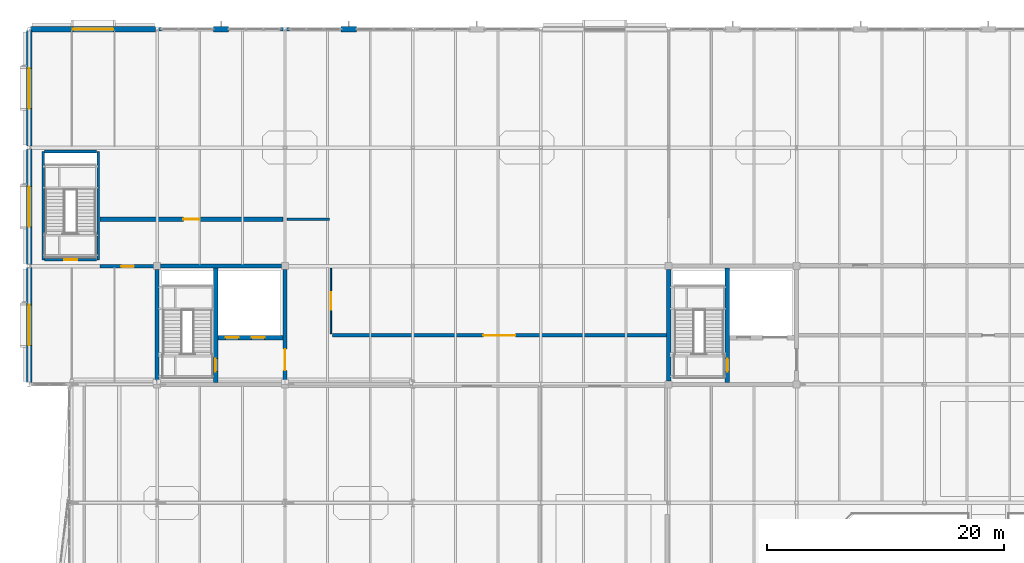
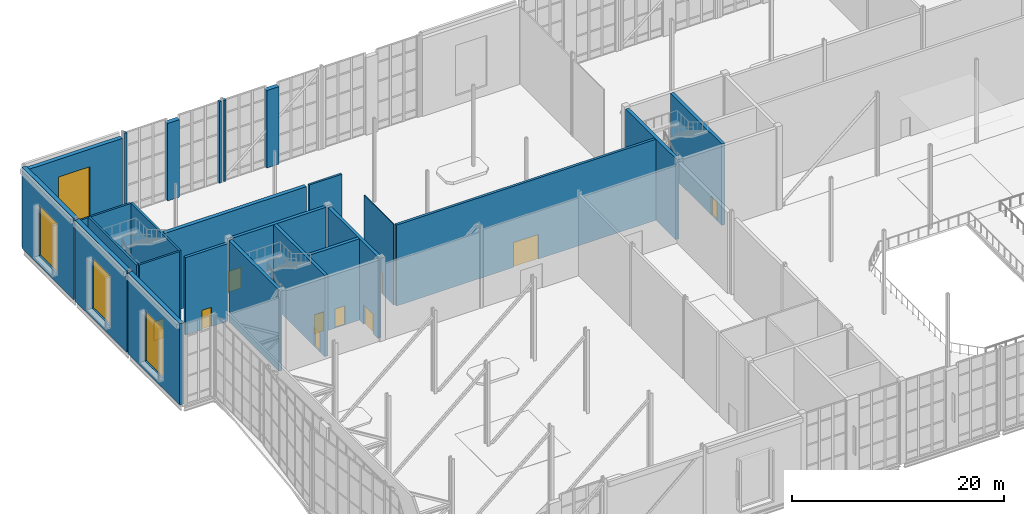
# One storey, part 87 of 100: 25 walls, 10 doors, 4 windows, 14 openings.
"""IFC4 building model written with IfcOpenShell, lengths in metres."""

from ifc_helpers import new_model, si_unit, direction, frame, frame_2d, origin, place, context, subcontext, project, spatial, rectangle, extrude, material, layer, layer_set, type_object, element, fill, save


model = new_model("IFC4")

# Units and contexts
model_context = context("Model", 3, precision=1e-05, world=origin(), true_north=direction((0.0, 1.0)))
body_context = subcontext(model_context, "Body", "Model", "MODEL_VIEW")
ifc_project = project(units=[si_unit("LENGTHUNIT", "METRE"), si_unit("AREAUNIT", "SQUARE_METRE"), si_unit("VOLUMEUNIT", "CUBIC_METRE"), si_unit("PLANEANGLEUNIT", "RADIAN"), si_unit("MASSUNIT", "GRAM", prefix="KILO")], contexts=[model_context])

# Site, building, storey
site_placement = place(None, origin())
site = spatial("IfcSite", under=ifc_project, at=site_placement, CompositionType="ELEMENT")
building_placement = place(site_placement, origin())
building = spatial("IfcBuilding", under=site, at=building_placement, Name="Tasgan Crest Museum", CompositionType="ELEMENT")
storey_placement = place(building_placement, frame((0.0, 0.0, 14.39990234375)))
storey = spatial("IfcBuildingStorey", under=building, at=storey_placement, Name="L03", CompositionType="ELEMENT", Elevation=14.39990234375)

# Walls
ifc_material_1 = material(Name="Concrete C40/50", Category="concrete")
ifc_layer_1 = layer(ifc_material_1, 0.35009765625, Name="WL-CORE-350")
ifc_layer_set_1 = layer_set([ifc_layer_1], Name="Concrete C40/50")
wall_type_1 = type_object("IfcWallType", Name="WL-CORE-350", PredefinedType="SHEAR", material=ifc_layer_set_1)
wall_1_placement = place(storey_placement, frame((11.10009765625, 92.0, 0.0), z_axis=(0.0, 0.0, 1.0), x_axis=(1.0, 0.0, 0.0)))
element("IfcWall", 1, at=wall_1_placement, inside=storey, type_object=wall_type_1, Name="North-West Gallery Core north shear wall L03", PredefinedType="SHEAR", context=body_context, shape_type="SweptSolid", body=[
    extrude(rectangle(XDim=10.199951171875, YDim=0.35009765625, at=frame_2d((5.10009765625, 0.0))), origin(), (0.0, 0.0, 1.0), 9.360107421875),
])
wall_2_placement = place(storey_placement, frame((10.800048828125, 82.300048828125, 0.0), z_axis=(0.0, 0.0, 1.0), x_axis=(0.0, 1.0, 0.0)))
element("IfcWall", 2, at=wall_2_placement, inside=storey, type_object=wall_type_1, Name="North-West Gallery Core west shear wall L03", PredefinedType="SHEAR", context=body_context, shape_type="SweptSolid", body=[
    extrude(rectangle(XDim=9.39990234375, YDim=0.35009765625, at=frame_2d((4.699951171875, 0.0))), origin(), (0.0, 0.0, 1.0), 9.360107421875),
])

# Wall, opening, door
wall_3_placement = place(storey_placement, frame((21.60009765625, 82.300048828125, 0.0), z_axis=(0.0, 0.0, 1.0), x_axis=(0.0, 1.0, 0.0)))
wall_3 = element("IfcWall", 3, at=wall_3_placement, inside=storey, type_object=wall_type_1, Name="North-West Gallery Core east shear wall L03", PredefinedType="SHEAR", context=body_context, shape_type="SweptSolid", body=[
    extrude(rectangle(XDim=9.39990234375, YDim=0.35009765625, at=frame_2d((4.699951171875, 0.0))), origin(), (0.0, 0.0, 1.0), 9.360107421875),
])
opening_1_placement = place(wall_3_placement, frame((0.8798828125, 0.0, 0.0)))
opening_1 = element("IfcOpeningElement", 4, at=opening_1_placement, cuts=wall_3, Name="Opening LD-NW-L03", PredefinedType="OPENING", context=body_context, shape_type="SweptSolid", body=[
    extrude(rectangle(XDim=1.800048828125, YDim=2.25, at=frame_2d((0.89990234375, 1.125))), frame((0.0, 0.18505859375, 0.0), z_axis=(0.0, -1.0, 0.0), x_axis=(1.0, 0.0, 0.0)), (0.0, 0.0, 1.0), 0.3701171875),
])
ifc_material_2 = material(Name="Fire-Rated Double Lobby Door")
door_type_1 = type_object("IfcDoorType", Name="DR-FD2-1800", OperationType="NOTDEFINED", PredefinedType="DOOR", material=ifc_material_2)
door_1_placement = place(opening_1_placement, origin())
door_1 = element("IfcDoor", 5, at=door_1_placement, inside=storey, type_object=door_type_1, Name="North-West Gallery Core lobby door L03", OperationType="DOUBLE_DOOR_SINGLE_SWING", OverallHeight=2.25, OverallWidth=1.800048828125, PredefinedType="DOOR", context=body_context, shape_type="SweptSolid", body=[
    extrude(rectangle(XDim=1.800048828125, YDim=2.25, at=frame_2d((0.89990234375, 1.125))), frame((0.0, 0.02490234375, 0.0), z_axis=(0.0, -1.0, 0.0), x_axis=(1.0, 0.0, 0.0)), (0.0, 0.0, 1.0), 0.050048828125),
])
fill(opening_1, door_1)

wall_4_placement = place(storey_placement, frame((15.75, 82.175048828125, 0.0), z_axis=(0.0, 0.0, 1.0), x_axis=(0.0, 1.0, 0.0)))
wall_4 = element("IfcWall", 6, at=wall_4_placement, inside=storey, type_object=wall_type_1, Name="North-West Gallery Core stair-lobby shear wall L03", PredefinedType="SHEAR", context=body_context, shape_type="SweptSolid", body=[
    extrude(rectangle(XDim=9.64990234375, YDim=0.35009765625, at=frame_2d((4.824951171875, 0.0))), origin(), (0.0, 0.0, 1.0), 9.360107421875),
])
opening_2_placement = place(wall_4_placement, frame((0.89990234375, 0.0, 0.0)))
opening_2 = element("IfcOpeningElement", 7, at=opening_2_placement, cuts=wall_4, Name="Opening SD-NW-L03", PredefinedType="OPENING", context=body_context, shape_type="SweptSolid", body=[
    extrude(rectangle(XDim=1.10009765625, YDim=2.199951171875, at=frame_2d((0.550048828125, 1.10009765625))), frame((0.0, 0.18505859375, 0.0), z_axis=(0.0, -1.0, 0.0), x_axis=(1.0, 0.0, 0.0)), (0.0, 0.0, 1.0), 0.3701171875),
])
ifc_material_3 = material(Name="Fire-Rated Steel Door", Category="steel")
door_type_2 = type_object("IfcDoorType", Name="DR-FD1-1100", OperationType="NOTDEFINED", PredefinedType="DOOR", material=ifc_material_3)
door_2_placement = place(opening_2_placement, origin())
door_2 = element("IfcDoor", 8, at=door_2_placement, inside=storey, type_object=door_type_2, Name="North-West Gallery Core stair door L03", OperationType="SINGLE_SWING_RIGHT", OverallHeight=2.199951171875, OverallWidth=1.10009765625, PredefinedType="DOOR", context=body_context, shape_type="SweptSolid", body=[
    extrude(rectangle(XDim=1.10009765625, YDim=2.199951171875, at=frame_2d((0.550048828125, 1.10009765625))), frame((0.0, 0.02490234375, 0.0), z_axis=(0.0, -1.0, 0.0), x_axis=(1.0, 0.0, 0.0)), (0.0, 0.0, 1.0), 0.050048828125),
])
fill(opening_2, door_2)

# Wall, openings, doors
wall_5_placement = place(storey_placement, frame((15.929931640625, 85.949951171875, 0.0), z_axis=(0.0, 0.0, 1.0), x_axis=(1.0, 0.0, 0.0)))
wall_5 = element("IfcWall", 9, at=wall_5_placement, inside=storey, type_object=wall_type_1, Name="North-West Gallery Core lift-shaft wall L03", PredefinedType="SHEAR", context=body_context, shape_type="SweptSolid", body=[
    extrude(rectangle(XDim=5.489990234375, YDim=0.35009765625, at=frame_2d((2.7451171875, 0.0))), origin(), (0.0, 0.0, 1.0), 9.360107421875),
])
opening_3_placement = place(wall_5_placement, frame((0.64990234375, 0.0, 0.0)))
opening_3 = element("IfcOpeningElement", 10, at=opening_3_placement, cuts=wall_5, Name="Opening LD-FL1", PredefinedType="OPENING", context=body_context, shape_type="SweptSolid", body=[
    extrude(rectangle(XDim=1.10009765625, YDim=2.199951171875, at=frame_2d((0.550048828125, 1.10009765625))), frame((0.0, 0.18505859375, 0.0), z_axis=(0.0, -1.0, 0.0), x_axis=(1.0, 0.0, 0.0)), (0.0, 0.0, 1.0), 0.3701171875),
])
opening_4_placement = place(wall_5_placement, frame((2.85009765625, 0.0, 0.0)))
opening_4 = element("IfcOpeningElement", 11, at=opening_4_placement, cuts=wall_5, Name="Opening LD-PL1", PredefinedType="OPENING", context=body_context, shape_type="SweptSolid", body=[
    extrude(rectangle(XDim=1.10009765625, YDim=2.199951171875, at=frame_2d((0.550048828125, 1.10009765625))), frame((0.0, 0.18505859375, 0.0), z_axis=(0.0, -1.0, 0.0), x_axis=(1.0, 0.0, 0.0)), (0.0, 0.0, 1.0), 0.3701171875),
])
ifc_material_4 = material(Name="Stainless Steel Firefighting Lift Landing Door", Category="steel")
door_type_3 = type_object("IfcDoorType", Name="LD-FF-1100", OperationType="NOTDEFINED", PredefinedType="DOOR", material=ifc_material_4)
door_3_placement = place(opening_3_placement, origin())
door_3 = element("IfcDoor", 12, at=door_3_placement, inside=storey, type_object=door_type_3, Name="Firefighting lift landing door FL1 L03", OperationType="DOUBLE_DOOR_SLIDING", OverallHeight=2.199951171875, OverallWidth=1.10009765625, PredefinedType="DOOR", context=body_context, shape_type="SweptSolid", body=[
    extrude(rectangle(XDim=1.10009765625, YDim=2.199951171875, at=frame_2d((0.550048828125, 1.10009765625))), frame((0.0, 0.02490234375, 0.0), z_axis=(0.0, -1.0, 0.0), x_axis=(1.0, 0.0, 0.0)), (0.0, 0.0, 1.0), 0.050048828125),
])
fill(opening_3, door_3)
ifc_material_5 = material(Name="Brushed Bronze Passenger Lift Landing Door")
door_type_4 = type_object("IfcDoorType", Name="LD-PAX-1100", OperationType="NOTDEFINED", PredefinedType="DOOR", material=ifc_material_5)
door_4_placement = place(opening_4_placement, origin())
door_4 = element("IfcDoor", 13, at=door_4_placement, inside=storey, type_object=door_type_4, Name="Lift landing sliding door PL1 L03", OperationType="DOUBLE_DOOR_SLIDING", OverallHeight=2.199951171875, OverallWidth=1.10009765625, PredefinedType="DOOR", context=body_context, shape_type="SweptSolid", body=[
    extrude(rectangle(XDim=1.10009765625, YDim=2.199951171875, at=frame_2d((0.550048828125, 1.10009765625))), frame((0.0, 0.02490234375, 0.0), z_axis=(0.0, -1.0, 0.0), x_axis=(1.0, 0.0, 0.0)), (0.0, 0.0, 1.0), 0.050048828125),
])
fill(opening_4, door_4)

# Wall
wall_6_placement = place(storey_placement, frame((54.0, 82.300048828125, 0.0), z_axis=(0.0, 0.0, 1.0), x_axis=(0.0, 1.0, 0.0)))
element("IfcWall", 14, at=wall_6_placement, inside=storey, type_object=wall_type_1, Name="North-Central Sawtooth Core west shear wall L03", PredefinedType="SHEAR", context=body_context, shape_type="SweptSolid", body=[
    extrude(rectangle(XDim=9.39990234375, YDim=0.35009765625, at=frame_2d((4.699951171875, 0.0))), origin(), (0.0, 0.0, 1.0), 9.360107421875),
])

# Wall, opening, door
wall_7_placement = place(storey_placement, frame((58.949951171875, 82.175048828125, 0.0), z_axis=(0.0, 0.0, 1.0), x_axis=(0.0, 1.0, 0.0)))
wall_7 = element("IfcWall", 15, at=wall_7_placement, inside=storey, type_object=wall_type_1, Name="North-Central Sawtooth Core stair-lobby shear wall L03", PredefinedType="SHEAR", context=body_context, shape_type="SweptSolid", body=[
    extrude(rectangle(XDim=9.64990234375, YDim=0.35009765625, at=frame_2d((4.824951171875, 0.0))), origin(), (0.0, 0.0, 1.0), 9.360107421875),
])
opening_5_placement = place(wall_7_placement, frame((0.89990234375, 0.0, 0.0)))
opening_5 = element("IfcOpeningElement", 16, at=opening_5_placement, cuts=wall_7, Name="Opening SD-NC-L03", PredefinedType="OPENING", context=body_context, shape_type="SweptSolid", body=[
    extrude(rectangle(XDim=1.10009765625, YDim=2.199951171875, at=frame_2d((0.550048828125, 1.10009765625))), frame((0.0, 0.18505859375, 0.0), z_axis=(0.0, -1.0, 0.0), x_axis=(1.0, 0.0, 0.0)), (0.0, 0.0, 1.0), 0.3701171875),
])
door_5_placement = place(opening_5_placement, origin())
door_5 = element("IfcDoor", 17, at=door_5_placement, inside=storey, type_object=door_type_2, Name="North-Central Sawtooth Core stair door L03", OperationType="SINGLE_SWING_RIGHT", OverallHeight=2.199951171875, OverallWidth=1.10009765625, PredefinedType="DOOR", context=body_context, shape_type="SweptSolid", body=[
    extrude(rectangle(XDim=1.10009765625, YDim=2.199951171875, at=frame_2d((0.550048828125, 1.10009765625))), frame((0.0, 0.02490234375, 0.0), z_axis=(0.0, -1.0, 0.0), x_axis=(1.0, 0.0, 0.0)), (0.0, 0.0, 1.0), 0.050048828125),
])
fill(opening_5, door_5)

# Walls
ifc_material_6 = material(Name="Precast concrete C40/50", Category="concrete")
ifc_layer_2 = layer(ifc_material_6, 0.320068359375, Name="WL-EXT-CLER-320")
ifc_layer_set_2 = layer_set([ifc_layer_2], Name="Precast concrete C40/50")
wall_type_2 = type_object("IfcWallType", Name="WL-EXT-CLER-320", PredefinedType="STANDARD", material=ifc_layer_set_2)
wall_8_placement = place(storey_placement, frame((21.969970703125, 112.0, 0.0), z_axis=(0.0, 0.0, 1.0), x_axis=(-1.0, 0.0, 0.0)))
element("IfcWall", 18, at=wall_8_placement, inside=storey, type_object=wall_type_2, Name="Curtain wall jamb closure L03 JR", PredefinedType="STANDARD", context=body_context, shape_type="SweptSolid", body=[
    extrude(rectangle(XDim=0.243896484375, YDim=0.300048828125, at=frame_2d((0.1220703125, 0.0))), origin(), (0.0, 0.0, 1.0), 9.360107421875),
])
wall_9_placement = place(storey_placement, frame((21.47412109375, 112.0, 0.0), z_axis=(0.0, 0.0, 1.0), x_axis=(-1.0, 0.0, 0.0)))
element("IfcWall", 19, at=wall_9_placement, inside=storey, type_object=wall_type_2, Name="Curtain wall jamb closure L03 JL", PredefinedType="STANDARD", context=body_context, shape_type="SweptSolid", body=[
    extrude(rectangle(XDim=0.244140625, YDim=0.300048828125, at=frame_2d((0.1220703125, 0.0))), origin(), (0.0, 0.0, 1.0), 9.360107421875),
])
wall_10_placement = place(storey_placement, frame((11.169921875, 112.0, 0.0), z_axis=(0.0, 0.0, 1.0), x_axis=(-1.0, 0.0, 0.0)))
element("IfcWall", 20, at=wall_10_placement, inside=storey, type_object=wall_type_2, Name="Curtain wall jamb closure L03 JR", PredefinedType="STANDARD", context=body_context, shape_type="SweptSolid", body=[
    extrude(rectangle(XDim=0.243896484375, YDim=0.300048828125, at=frame_2d((0.1220703125, 0.0))), origin(), (0.0, 0.0, 1.0), 9.360107421875),
])
ifc_material_7 = material(Name="Precast concrete C40/50", Category="concrete")
ifc_layer_3 = layer(ifc_material_7, 0.47998046875, Name="WL-EXT-GRAN-480")
ifc_layer_set_3 = layer_set([ifc_layer_3], Name="Precast concrete C40/50")
wall_type_3 = type_object("IfcWallType", Name="WL-EXT-GRAN-480", PredefinedType="STANDARD", material=ifc_layer_set_3)
wall_11_placement = place(storey_placement, frame((27.64990234375, 112.0, 0.0), z_axis=(0.0, 0.0, 1.0), x_axis=(-1.0, 0.0, 0.0)))
element("IfcWall", 21, at=wall_11_placement, inside=storey, type_object=wall_type_3, Name="Postmodern facade stone pier L03", PredefinedType="STANDARD", context=body_context, shape_type="SweptSolid", body=[
    extrude(rectangle(XDim=1.2998046875, YDim=0.47998046875, at=frame_2d((0.64990234375, 0.0))), origin(), (0.0, 0.0, 1.0), 8.920166015625),
])
wall_12_placement = place(storey_placement, frame((16.85009765625, 112.0, 0.0), z_axis=(0.0, 0.0, 1.0), x_axis=(-1.0, 0.0, 0.0)))
element("IfcWall", 22, at=wall_12_placement, inside=storey, type_object=wall_type_3, Name="Postmodern facade stone pier L03", PredefinedType="STANDARD", context=body_context, shape_type="SweptSolid", body=[
    extrude(rectangle(XDim=1.300048828125, YDim=0.47998046875, at=frame_2d((0.64990234375, 0.0))), origin(), (0.0, 0.0, 1.0), 8.920166015625),
])

# Wall, opening, window
ifc_material_8 = material(Name="Precast concrete C40/50", Category="concrete")
ifc_layer_4 = layer(ifc_material_8, 0.449951171875, Name="WL-EXT-LIME-450")
ifc_layer_set_4 = layer_set([ifc_layer_4], Name="Precast concrete C40/50")
wall_type_4 = type_object("IfcWallType", Name="WL-EXT-LIME-450", PredefinedType="STANDARD", material=ifc_layer_set_4)
wall_13_placement = place(storey_placement, frame((10.674072265625, 112.0, 0.0), z_axis=(0.0, 0.0, 1.0), x_axis=(-1.0, 0.0, 0.0)))
wall_13 = element("IfcWall", 23, at=wall_13_placement, inside=storey, type_object=wall_type_4, Name="Exterior wall L03 (5.4,112.0)", PredefinedType="STANDARD", context=body_context, shape_type="SweptSolid", body=[
    extrude(rectangle(XDim=10.548095703125, YDim=0.449951171875, at=frame_2d((5.27392578125, 0.0))), origin(), (0.0, 0.0, 1.0), 8.920166015625),
])
opening_6_placement = place(wall_13_placement, frame((3.573974609375, 0.0, 1.10009765625)))
opening_6 = element("IfcOpeningElement", 24, at=opening_6_placement, cuts=wall_13, Name="Opening W09", PredefinedType="OPENING", context=body_context, shape_type="SweptSolid", body=[
    extrude(rectangle(XDim=3.39990234375, YDim=5.800048828125, at=frame_2d((1.699951171875, 2.89990234375))), frame((0.0, 0.23486328125, 0.0), z_axis=(0.0, -1.0, 0.0), x_axis=(1.0, 0.0, 0.0)), (0.0, 0.0, 1.0), 0.469970703125),
])
ifc_material_9 = material(Name="Thermally Broken Triple-Glazed Aluminium", Category="aluminium")
window_type = type_object("IfcWindowType", Name="WN-GAL-DH-3400X5800", PartitioningType="SINGLE_PANEL", PredefinedType="WINDOW", material=ifc_material_9)
window_1_placement = place(opening_6_placement, origin())
window_1 = element("IfcWindow", 25, at=window_1_placement, inside=storey, type_object=window_type, Name="Window W09 L03-055", OverallHeight=5.800048828125, OverallWidth=3.39990234375, PartitioningType="SINGLE_PANEL", PredefinedType="WINDOW", context=body_context, shape_type="SweptSolid", body=[
    extrude(rectangle(XDim=3.39990234375, YDim=5.800048828125, at=frame_2d((1.699951171875, 2.89990234375))), frame((0.0, 0.030029296875, 0.0), z_axis=(0.0, -1.0, 0.0), x_axis=(1.0, 0.0, 0.0)), (0.0, 0.0, 1.0), 0.06005859375),
])
fill(opening_6, window_1)

wall_14_placement = place(storey_placement, frame((0.0, 111.8740234375, 0.0), z_axis=(0.0, 0.0, 1.0), x_axis=(0.0, -1.0, 0.0)))
wall_14 = element("IfcWall", 26, at=wall_14_placement, inside=storey, type_object=wall_type_4, Name="Exterior wall L03 (0.0,107.0)", PredefinedType="STANDARD", context=body_context, shape_type="SweptSolid", body=[
    extrude(rectangle(XDim=9.748046875, YDim=0.449951171875, at=frame_2d((4.8740234375, 0.0))), origin(), (0.0, 0.0, 1.0), 9.360107421875),
])
opening_7_placement = place(wall_14_placement, frame((3.174072265625, 0.0, 1.10009765625)))
opening_7 = element("IfcOpeningElement", 27, at=opening_7_placement, cuts=wall_14, Name="Opening W09", PredefinedType="OPENING", context=body_context, shape_type="SweptSolid", body=[
    extrude(rectangle(XDim=3.39990234375, YDim=5.800048828125, at=frame_2d((1.699951171875, 2.89990234375))), frame((0.0, 0.23486328125, 0.0), z_axis=(0.0, -1.0, 0.0), x_axis=(1.0, 0.0, 0.0)), (0.0, 0.0, 1.0), 0.469970703125),
])
window_2_placement = place(opening_7_placement, origin())
window_2 = element("IfcWindow", 28, at=window_2_placement, inside=storey, type_object=window_type, Name="Window W09 L03-056", OverallHeight=5.800048828125, OverallWidth=3.39990234375, PartitioningType="SINGLE_PANEL", PredefinedType="WINDOW", context=body_context, shape_type="SweptSolid", body=[
    extrude(rectangle(XDim=3.39990234375, YDim=5.800048828125, at=frame_2d((1.699951171875, 2.89990234375))), frame((0.0, 0.030029296875, 0.0), z_axis=(0.0, -1.0, 0.0), x_axis=(1.0, 0.0, 0.0)), (0.0, 0.0, 1.0), 0.06005859375),
])
fill(opening_7, window_2)

wall_15_placement = place(storey_placement, frame((0.0, 101.8740234375, 0.0), z_axis=(0.0, 0.0, 1.0), x_axis=(0.0, -1.0, 0.0)))
wall_15 = element("IfcWall", 29, at=wall_15_placement, inside=storey, type_object=wall_type_4, Name="Exterior wall L03 (0.0,97.0)", PredefinedType="STANDARD", context=body_context, shape_type="SweptSolid", body=[
    extrude(rectangle(XDim=9.748046875, YDim=0.449951171875, at=frame_2d((4.8740234375, 0.0))), origin(), (0.0, 0.0, 1.0), 9.360107421875),
])
opening_8_placement = place(wall_15_placement, frame((3.174072265625, 0.0, 1.10009765625)))
opening_8 = element("IfcOpeningElement", 30, at=opening_8_placement, cuts=wall_15, Name="Opening W09", PredefinedType="OPENING", context=body_context, shape_type="SweptSolid", body=[
    extrude(rectangle(XDim=3.39990234375, YDim=5.800048828125, at=frame_2d((1.699951171875, 2.89990234375))), frame((0.0, 0.23486328125, 0.0), z_axis=(0.0, -1.0, 0.0), x_axis=(1.0, 0.0, 0.0)), (0.0, 0.0, 1.0), 0.469970703125),
])
window_3_placement = place(opening_8_placement, origin())
window_3 = element("IfcWindow", 31, at=window_3_placement, inside=storey, type_object=window_type, Name="Window W09 L03-057", OverallHeight=5.800048828125, OverallWidth=3.39990234375, PartitioningType="SINGLE_PANEL", PredefinedType="WINDOW", context=body_context, shape_type="SweptSolid", body=[
    extrude(rectangle(XDim=3.39990234375, YDim=5.800048828125, at=frame_2d((1.699951171875, 2.89990234375))), frame((0.0, 0.030029296875, 0.0), z_axis=(0.0, -1.0, 0.0), x_axis=(1.0, 0.0, 0.0)), (0.0, 0.0, 1.0), 0.06005859375),
])
fill(opening_8, window_3)

wall_16_placement = place(storey_placement, frame((0.0, 91.8740234375, 0.0), z_axis=(0.0, 0.0, 1.0), x_axis=(0.0, -1.0, 0.0)))
wall_16 = element("IfcWall", 32, at=wall_16_placement, inside=storey, type_object=wall_type_4, Name="Exterior wall L03 (0.0,87.0)", PredefinedType="STANDARD", context=body_context, shape_type="SweptSolid", body=[
    extrude(rectangle(XDim=9.72900390625, YDim=0.449951171875, at=frame_2d((4.864501953125, 0.0))), origin(), (0.0, 0.0, 1.0), 9.360107421875),
])
opening_9_placement = place(wall_16_placement, frame((3.16455078125, 0.0, 1.10009765625)))
opening_9 = element("IfcOpeningElement", 33, at=opening_9_placement, cuts=wall_16, Name="Opening W09", PredefinedType="OPENING", context=body_context, shape_type="SweptSolid", body=[
    extrude(rectangle(XDim=3.39990234375, YDim=5.800048828125, at=frame_2d((1.699951171875, 2.89990234375))), frame((0.0, 0.23486328125, 0.0), z_axis=(0.0, -1.0, 0.0), x_axis=(1.0, 0.0, 0.0)), (0.0, 0.0, 1.0), 0.469970703125),
])
window_4_placement = place(opening_9_placement, origin())
window_4 = element("IfcWindow", 34, at=window_4_placement, inside=storey, type_object=window_type, Name="Window W09 L03-058", OverallHeight=5.800048828125, OverallWidth=3.39990234375, PartitioningType="SINGLE_PANEL", PredefinedType="WINDOW", context=body_context, shape_type="SweptSolid", body=[
    extrude(rectangle(XDim=3.39990234375, YDim=5.800048828125, at=frame_2d((1.699951171875, 2.89990234375))), frame((0.0, 0.030029296875, 0.0), z_axis=(0.0, -1.0, 0.0), x_axis=(1.0, 0.0, 0.0)), (0.0, 0.0, 1.0), 0.06005859375),
])
fill(opening_9, window_4)

# Wall, opening, door
ifc_material_10 = material(Name="Gypsum Acoustic Museum Partition")
ifc_layer_5 = layer(ifc_material_10, 0.110107421875, Name="WL-SCH-01")
ifc_layer_set_5 = layer_set([ifc_layer_5], Name="Gypsum Acoustic Museum Partition")
wall_type_5 = type_object("IfcWallType", Name="WL-SCH-01", PredefinedType="PARTITIONING", material=ifc_layer_set_5)
wall_17_placement = place(storey_placement, frame((25.47509765625, 86.300048828125, 0.0), z_axis=(0.0, 0.0, 1.0), x_axis=(0.0, 1.0, 0.0)))
wall_17 = element("IfcWall", 35, at=wall_17_placement, inside=storey, type_object=wall_type_5, Name="Partition Ice Age Tusk Gallery / L03 West Core Link Corridor L03", PredefinedType="PARTITIONING", context=body_context, shape_type="SweptSolid", body=[
    extrude(rectangle(XDim=5.52001953125, YDim=0.110107421875, at=frame_2d((2.760009765625, 0.0))), origin(), (0.0, 0.0, 1.0), 9.320068359375),
])
opening_10_placement = place(wall_17_placement, frame((2.02001953125, 0.0, 0.0)))
opening_10 = element("IfcOpeningElement", 36, at=opening_10_placement, cuts=wall_17, Name="Opening D082", PredefinedType="OPENING", context=body_context, shape_type="SweptSolid", body=[
    extrude(rectangle(XDim=1.47998046875, YDim=2.419921875, at=frame_2d((0.739990234375, 1.2099609375))), frame((0.0, 0.06494140625, 0.0), z_axis=(0.0, -1.0, 0.0), x_axis=(1.0, 0.0, 0.0)), (0.0, 0.0, 1.0), 0.130126953125),
])
ifc_material_11 = material(Name="Oak and Brushed Bronze Acoustic Door")
door_type_5 = type_object("IfcDoorType", Name="DR-SCH-26", OperationType="NOTDEFINED", PredefinedType="DOOR", material=ifc_material_11)
door_6_placement = place(opening_10_placement, origin())
door_6 = element("IfcDoor", 37, at=door_6_placement, inside=storey, type_object=door_type_5, Name="Ice Age Tusk Gallery door D082", OperationType="SINGLE_SWING_RIGHT", OverallHeight=2.419921875, OverallWidth=1.47998046875, PredefinedType="DOOR", context=body_context, shape_type="SweptSolid", body=[
    extrude(rectangle(XDim=1.47998046875, YDim=2.419921875, at=frame_2d((0.739990234375, 1.2099609375))), frame((0.0, 0.02490234375, 0.0), z_axis=(0.0, -1.0, 0.0), x_axis=(1.0, 0.0, 0.0)), (0.0, 0.0, 1.0), 0.050048828125),
])
fill(opening_10, door_6)

# Wall
ifc_material_12 = material(Name="Gypsum Acoustic Museum Partition")
ifc_layer_6 = layer(ifc_material_12, 0.22998046875, Name="WL-SCH-07")
ifc_layer_set_6 = layer_set([ifc_layer_6], Name="Gypsum Acoustic Museum Partition")
wall_type_6 = type_object("IfcWallType", Name="WL-SCH-07", PredefinedType="PARTITIONING", material=ifc_layer_set_6)
wall_18_placement = place(storey_placement, frame((21.780029296875, 95.949951171875, 0.0), z_axis=(0.0, 0.0, 1.0), x_axis=(1.0, 0.0, 0.0)))
element("IfcWall", 38, at=wall_18_placement, inside=storey, type_object=wall_type_6, Name="Partition L03 West Core Link Corridor / Nemegt Tarbosaurus Monumental Gallery L03", PredefinedType="PARTITIONING", context=body_context, shape_type="SweptSolid", body=[
    extrude(rectangle(XDim=3.570068359375, YDim=0.22998046875, at=frame_2d((1.78515625, 0.0))), origin(), (0.0, 0.0, 1.0), 9.320068359375),
])

# Wall, opening, door
ifc_material_13 = material(Name="Gypsum Acoustic Museum Partition")
ifc_layer_7 = layer(ifc_material_13, 0.27001953125, Name="WL-SCH-08")
ifc_layer_set_7 = layer_set([ifc_layer_7], Name="Gypsum Acoustic Museum Partition")
wall_type_7 = type_object("IfcWallType", Name="WL-SCH-08", PredefinedType="PARTITIONING", material=ifc_layer_set_7)
wall_19_placement = place(storey_placement, frame((25.60009765625, 86.14990234375, 0.0), z_axis=(0.0, 0.0, 1.0), x_axis=(1.0, 0.0, 0.0)))
wall_19 = element("IfcWall", 39, at=wall_19_placement, inside=storey, type_object=wall_type_7, Name="Partition Third Floor Grand Gallery Promenade / Ice Age Tusk Gallery L03", PredefinedType="PARTITIONING", context=body_context, shape_type="SweptSolid", body=[
    extrude(rectangle(XDim=28.219970703125, YDim=0.27001953125, at=frame_2d((14.10986328125, 0.0))), origin(), (0.0, 0.0, 1.0), 9.320068359375),
])
opening_11_placement = place(wall_19_placement, frame((12.760009765625, 0.0, 0.0)))
opening_11 = element("IfcOpeningElement", 40, at=opening_11_placement, cuts=wall_19, Name="Opening D076", PredefinedType="OPENING", context=body_context, shape_type="SweptSolid", body=[
    extrude(rectangle(XDim=2.699951171875, YDim=2.85009765625, at=frame_2d((1.35009765625, 1.425048828125))), frame((0.0, 0.14501953125, 0.0), z_axis=(0.0, -1.0, 0.0), x_axis=(1.0, 0.0, 0.0)), (0.0, 0.0, 1.0), 0.2900390625),
])
ifc_material_14 = material(Name="Oak and Brushed Bronze Acoustic Door")
door_type_6 = type_object("IfcDoorType", Name="DR-SCH-20", OperationType="NOTDEFINED", PredefinedType="DOOR", material=ifc_material_14)
door_7_placement = place(opening_11_placement, origin())
door_7 = element("IfcDoor", 41, at=door_7_placement, inside=storey, type_object=door_type_6, Name="Ice Age Tusk Gallery door D076", OperationType="DOUBLE_DOOR_SINGLE_SWING", OverallHeight=2.85009765625, OverallWidth=2.699951171875, PredefinedType="DOOR", context=body_context, shape_type="SweptSolid", body=[
    extrude(rectangle(XDim=2.699951171875, YDim=2.85009765625, at=frame_2d((1.35009765625, 1.425048828125))), frame((0.0, 0.02490234375, 0.0), z_axis=(0.0, -1.0, 0.0), x_axis=(1.0, 0.0, 0.0)), (0.0, 0.0, 1.0), 0.050048828125),
])
fill(opening_11, door_7)

ifc_material_15 = material(Name="Gypsum Acoustic Museum Partition")
ifc_layer_8 = layer(ifc_material_15, 0.31005859375, Name="WL-SCH-10")
ifc_layer_set_8 = layer_set([ifc_layer_8], Name="Gypsum Acoustic Museum Partition")
wall_type_8 = type_object("IfcWallType", Name="WL-SCH-10", PredefinedType="PARTITIONING", material=ifc_layer_set_8)
wall_20_placement = place(storey_placement, frame((6.0, 91.97509765625, 0.0), z_axis=(0.0, 0.0, 1.0), x_axis=(1.0, 0.0, 0.0)))
wall_20 = element("IfcWall", 42, at=wall_20_placement, inside=storey, type_object=wall_type_8, Name="Partition Mammoth and Megafauna Double-Height Gallery / L03 North-West Stair Link Corridor L03", PredefinedType="PARTITIONING", context=body_context, shape_type="SweptSolid", body=[
    extrude(rectangle(XDim=4.6201171875, YDim=0.31005859375, at=frame_2d((2.31005859375, 0.0))), origin(), (0.0, 0.0, 1.0), 8.920166015625),
])
opening_12_placement = place(wall_20_placement, frame((1.780029296875, 0.0, 0.0)))
opening_12 = element("IfcOpeningElement", 43, at=opening_12_placement, cuts=wall_20, Name="Opening D078", PredefinedType="OPENING", context=body_context, shape_type="SweptSolid", body=[
    extrude(rectangle(XDim=1.06005859375, YDim=2.219970703125, at=frame_2d((0.530029296875, 1.10986328125))), frame((0.0, 0.1650390625, 0.0), z_axis=(0.0, -1.0, 0.0), x_axis=(1.0, 0.0, 0.0)), (0.0, 0.0, 1.0), 0.330078125),
])
ifc_material_16 = material(Name="Oak and Brushed Bronze Acoustic Door")
door_type_7 = type_object("IfcDoorType", Name="DR-SCH-22", OperationType="NOTDEFINED", PredefinedType="DOOR", material=ifc_material_16)
door_8_placement = place(opening_12_placement, origin())
door_8 = element("IfcDoor", 44, at=door_8_placement, inside=storey, type_object=door_type_7, Name="Mammoth and Megafauna Double-Height Gallery door D078", OperationType="SINGLE_SWING_RIGHT", OverallHeight=2.219970703125, OverallWidth=1.06005859375, PredefinedType="DOOR", context=body_context, shape_type="SweptSolid", body=[
    extrude(rectangle(XDim=1.06005859375, YDim=2.219970703125, at=frame_2d((0.530029296875, 1.10986328125))), frame((0.0, 0.02490234375, 0.0), z_axis=(0.0, -1.0, 0.0), x_axis=(1.0, 0.0, 0.0)), (0.0, 0.0, 1.0), 0.050048828125),
])
fill(opening_12, door_8)

ifc_material_17 = material(Name="Gypsum Acoustic Museum Partition")
ifc_layer_9 = layer(ifc_material_17, 0.409912109375, Name="WL-SCH-14")
ifc_layer_set_9 = layer_set([ifc_layer_9], Name="Gypsum Acoustic Museum Partition")
wall_type_9 = type_object("IfcWallType", Name="WL-SCH-14", PredefinedType="PARTITIONING", material=ifc_layer_set_9)
wall_21_placement = place(storey_placement, frame((6.0, 95.949951171875, 0.0), z_axis=(0.0, 0.0, 1.0), x_axis=(1.0, 0.0, 0.0)))
wall_21 = element("IfcWall", 45, at=wall_21_placement, inside=storey, type_object=wall_type_9, Name="Partition L03 North-West Stair Link Corridor / Nemegt Tarbosaurus Monumental Gallery L03", PredefinedType="PARTITIONING", context=body_context, shape_type="SweptSolid", body=[
    extrude(rectangle(XDim=15.419921875, YDim=0.409912109375, at=frame_2d((7.7099609375, 0.0))), origin(), (0.0, 0.0, 1.0), 9.320068359375),
])
opening_13_placement = place(wall_21_placement, frame((7.02001953125, 0.0, 0.0)))
opening_13 = element("IfcOpeningElement", 46, at=opening_13_placement, cuts=wall_21, Name="Opening D081", PredefinedType="OPENING", context=body_context, shape_type="SweptSolid", body=[
    extrude(rectangle(XDim=1.3798828125, YDim=2.3798828125, at=frame_2d((0.68994140625, 1.18994140625))), frame((0.0, 0.21484375, 0.0), z_axis=(0.0, -1.0, 0.0), x_axis=(1.0, 0.0, 0.0)), (0.0, 0.0, 1.0), 0.429931640625),
])
ifc_material_18 = material(Name="Oak and Brushed Bronze Acoustic Door")
door_type_8 = type_object("IfcDoorType", Name="DR-SCH-25", OperationType="NOTDEFINED", PredefinedType="DOOR", material=ifc_material_18)
door_9_placement = place(opening_13_placement, origin())
door_9 = element("IfcDoor", 47, at=door_9_placement, inside=storey, type_object=door_type_8, Name="Nemegt Tarbosaurus Monumental Gallery door D081", OperationType="SINGLE_SWING_LEFT", OverallHeight=2.3798828125, OverallWidth=1.3798828125, PredefinedType="DOOR", context=body_context, shape_type="SweptSolid", body=[
    extrude(rectangle(XDim=1.3798828125, YDim=2.3798828125, at=frame_2d((0.68994140625, 1.18994140625))), frame((0.0, 0.02490234375, 0.0), z_axis=(0.0, -1.0, 0.0), x_axis=(1.0, 0.0, 0.0)), (0.0, 0.0, 1.0), 0.050048828125),
])
fill(opening_13, door_9)

# Walls
ifc_material_19 = material(Name="Concrete C40/50", Category="concrete")
ifc_layer_10 = layer(ifc_material_19, 0.219970703125, Name="WL-SHAFT-220")
ifc_layer_set_10 = layer_set([ifc_layer_10], Name="Concrete C40/50")
wall_type_10 = type_object("IfcWallType", Name="WL-SHAFT-220", PredefinedType="SHEAR", material=ifc_layer_set_10)
for number, where, z_axis, x_axis, name in (
    (48, (1.179931640625, 92.530029296875, 0.0), (0.0, 0.0, 1.0), (0.0, 1.0, 0.0), "GALW stairwell wall L03 W"),
    (49, (5.820068359375, 92.530029296875, 0.0), (0.0, 0.0, 1.0), (0.0, 1.0, 0.0), "GALW stairwell wall L03 E"),
):
    element("IfcWall", number, at=place(storey_placement, frame(where, z_axis=z_axis, x_axis=x_axis)), inside=storey, type_object=wall_type_10, Name=name, PredefinedType="SHEAR", context=body_context, shape_type="SweptSolid", body=[
        extrude(rectangle(XDim=9.139892578125, YDim=0.219970703125, at=frame_2d((4.56982421875, 0.0))), origin(), (0.0, 0.0, 1.0), 9.360107421875),
    ])
wall_22_placement = place(storey_placement, frame((1.300048828125, 101.669921875, 0.0), z_axis=(0.0, 0.0, 1.0), x_axis=(1.0, 0.0, 0.0)))
element("IfcWall", 50, at=wall_22_placement, inside=storey, type_object=wall_type_10, Name="GALW stairwell wall L03 N", PredefinedType="SHEAR", context=body_context, shape_type="SweptSolid", body=[
    extrude(rectangle(XDim=4.39990234375, YDim=0.219970703125, at=frame_2d((2.199951171875, 0.0))), origin(), (0.0, 0.0, 1.0), 9.360107421875),
])

# Wall, opening, door
wall_23_placement = place(storey_placement, frame((1.300048828125, 92.530029296875, 0.0), z_axis=(0.0, 0.0, 1.0), x_axis=(1.0, 0.0, 0.0)))
wall_23 = element("IfcWall", 51, at=wall_23_placement, inside=storey, type_object=wall_type_10, Name="GALW stairwell wall L03 S", PredefinedType="SHEAR", context=body_context, shape_type="SweptSolid", body=[
    extrude(rectangle(XDim=4.39990234375, YDim=0.219970703125, at=frame_2d((2.199951171875, 0.0))), origin(), (0.0, 0.0, 1.0), 9.360107421875),
])
opening_14_placement = place(wall_23_placement, frame((1.64990234375, 0.0, 0.0)))
opening_14 = element("IfcOpeningElement", 52, at=opening_14_placement, cuts=wall_23, Name="Opening SD-GA-L03", PredefinedType="OPENING", context=body_context, shape_type="SweptSolid", body=[
    extrude(rectangle(XDim=1.10009765625, YDim=2.199951171875, at=frame_2d((0.550048828125, 1.10009765625))), frame((0.0, 0.119873046875, 0.0), z_axis=(0.0, -1.0, 0.0), x_axis=(1.0, 0.0, 0.0)), (0.0, 0.0, 1.0), 0.239990234375),
])
door_10_placement = place(opening_14_placement, origin())
door_10 = element("IfcDoor", 53, at=door_10_placement, inside=storey, type_object=door_type_2, Name="GALW protected stair door L03", OperationType="SINGLE_SWING_LEFT", OverallHeight=2.199951171875, OverallWidth=1.10009765625, PredefinedType="DOOR", context=body_context, shape_type="SweptSolid", body=[
    extrude(rectangle(XDim=1.10009765625, YDim=2.199951171875, at=frame_2d((0.550048828125, 1.10009765625))), frame((0.0, 0.02490234375, 0.0), z_axis=(0.0, -1.0, 0.0), x_axis=(1.0, 0.0, 0.0)), (0.0, 0.0, 1.0), 0.050048828125),
])
fill(opening_14, door_10)

save(model, "model.ifc")
